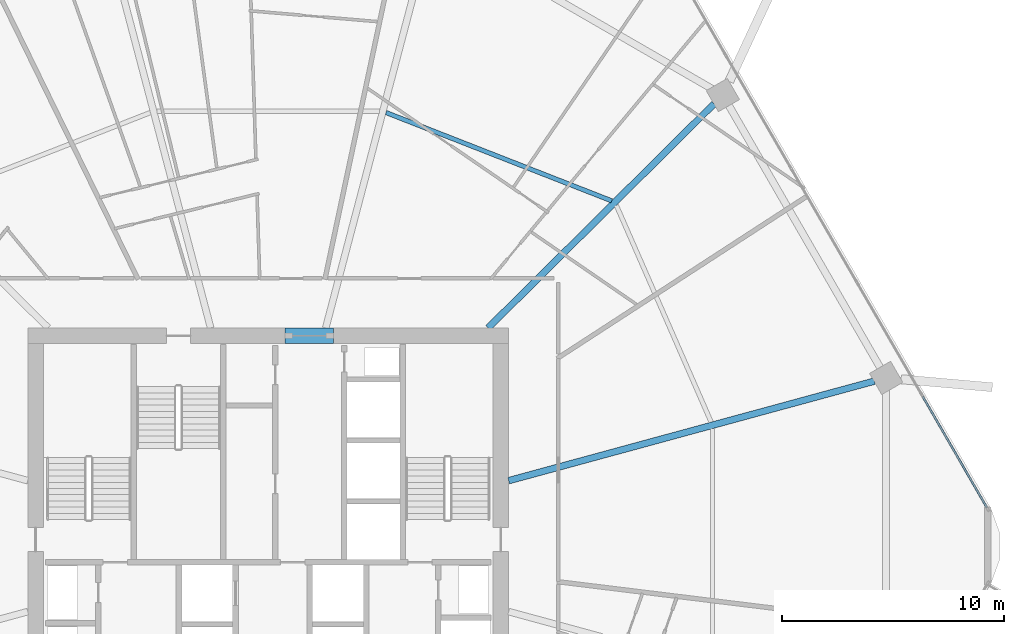
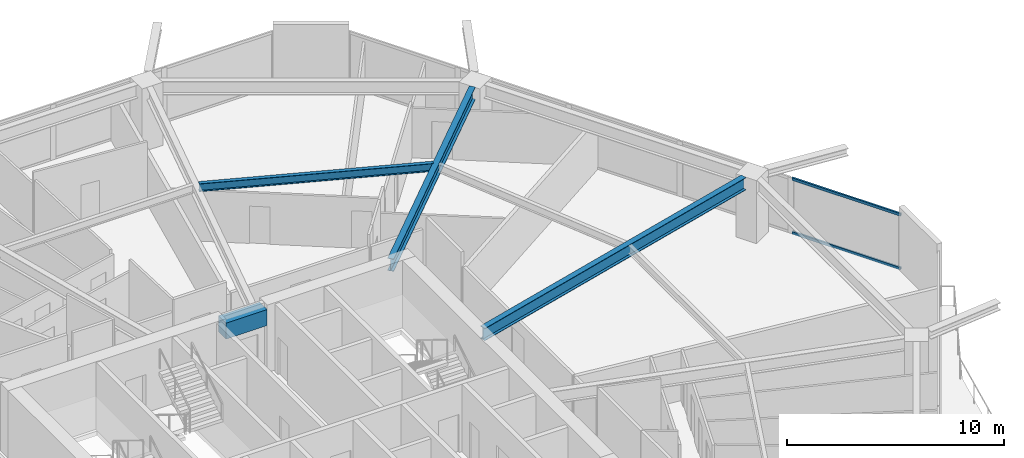
# One storey, part 16 of 32: 4 beams, 2 members, 1 element without a shape of its own.
"""IFC4 building model written with IfcOpenShell, lengths in metres."""

from ifc_helpers import new_model, si_unit, direction, frame, origin, origin_2d, place, context, subcontext, project, spatial, rectangle, hollow_rectangle, i_section, extrude, material, material_profile, profile_set, type_object, element, aggregate, save


model = new_model("IFC4")

# Units and contexts
model_context = context("Model", 3, precision=1e-05, world=origin(), true_north=direction((0.0, 1.0)))
body_context = subcontext(model_context, "Body", "Model", "MODEL_VIEW")
ifc_project = project(units=[si_unit("LENGTHUNIT", "METRE"), si_unit("AREAUNIT", "SQUARE_METRE"), si_unit("VOLUMEUNIT", "CUBIC_METRE"), si_unit("PLANEANGLEUNIT", "RADIAN"), si_unit("MASSUNIT", "GRAM", prefix="KILO")], contexts=[model_context])

# Site, building, storey
site_placement = place(None, origin())
site = spatial("IfcSite", under=ifc_project, at=site_placement, CompositionType="ELEMENT")
building_placement = place(site_placement, origin())
building = spatial("IfcBuilding", under=site, at=building_placement, Name="Zuhravey Tower", CompositionType="ELEMENT")
storey_placement = place(building_placement, frame((0.0, 0.0, 119.0)))
storey = spatial("IfcBuildingStorey", under=building, at=storey_placement, Name="L29", CompositionType="ELEMENT", Elevation=119.0)

# Beam
ifc_material_1 = material(Name="Concrete C60/75", Category="concrete")
ifc_material_profile_1 = material_profile(ifc_material_1, rectangle(XDim=0.699951171875, YDim=0.89990234375, at=origin_2d()), Name="RC-700x900")
ifc_profile_set_1 = profile_set([ifc_material_profile_1], Name="Concrete C60/75")
beam_type_1 = type_object("IfcBeamType", Name="Core Coupling Beam RC700x900", PredefinedType="LINTEL", material=ifc_profile_set_1)
beam_1_placement = place(storey_placement, frame((36.751953125, 41.5, 3.10009765625), z_axis=(1.0, 0.0, 0.0), x_axis=(0.0, 1.0, 0.0)))
element("IfcBeam", 1, at=beam_1_placement, inside=storey, type_object=beam_type_1, Name="L29 CB1 BM-L29-CB-N", PredefinedType="LINTEL", context=body_context, shape_type="SweptSolid", body=[
    extrude(rectangle(XDim=0.699951171875, YDim=0.89990234375, at=origin_2d()), origin(), (0.0, 0.0, 1.0), 2.196044921875),
])

# Curtain wall, members
ifc_material_2 = material(Name="Thermally broken anodised aluminium", Category="aluminium")
curtain_wall_type = type_object("IfcCurtainWallType", Name="Zone 1-2 Residential Curtain Wall CW3", PredefinedType="NOTDEFINED", material=ifc_material_2)
curtain_wall_placement = place(storey_placement, origin())
curtain_wall = element("IfcCurtainWall", 2, at=curtain_wall_placement, inside=storey, type_object=curtain_wall_type, Name="L29 CW3 CW-L29-F1-1", PredefinedType="NOTDEFINED")
ifc_material_3 = material(Name="Anodised aluminium", Category="aluminium")
ifc_material_profile_2 = material_profile(ifc_material_3, hollow_rectangle(XDim=0.090087890625, YDim=0.14990234375, WallThickness=0.0048828125, at=origin_2d()), Name="ALU-RHS-90x150x5")
ifc_profile_set_2 = profile_set([ifc_material_profile_2], Name="Anodised aluminium")
member_type = type_object("IfcMemberType", Name="Curtain-Wall Transom 90x150", PredefinedType="USERDEFINED", material=ifc_profile_set_2)
member_1_placement = place(storey_placement, frame((65.541015625, 38.750244140625, 0.044921875), z_axis=(0.500024450573, -0.866011286779, 0.0), x_axis=(0.866011286779, 0.500024450573, 0.0)))
member_1 = element("IfcMember", 3, at=member_1_placement, type_object=member_type, Name="CW3 transom 5.1", ObjectType="TRANSOM", PredefinedType="USERDEFINED", context=body_context, shape_type="SweptSolid", body=[
    extrude(hollow_rectangle(XDim=0.090087890625, YDim=0.14990234375, WallThickness=0.0048828125, at=origin_2d()), origin(), (0.0, 0.0, 1.0), 5.784912109375),
])
member_2_placement = place(storey_placement, frame((65.541015625, 38.750244140625, 3.076904296875), z_axis=(0.500024450573, -0.866011286779, 0.0), x_axis=(0.866011286779, 0.500024450573, 0.0)))
member_2 = element("IfcMember", 4, at=member_2_placement, type_object=member_type, Name="CW3 transom 5.2", ObjectType="TRANSOM", PredefinedType="USERDEFINED", context=body_context, shape_type="SweptSolid", body=[
    extrude(hollow_rectangle(XDim=0.090087890625, YDim=0.14990234375, WallThickness=0.0048828125, at=origin_2d()), origin(), (0.0, 0.0, 1.0), 5.784912109375),
])
aggregate(curtain_wall, [member_1, member_2])

# Beams
ifc_material_4 = material(Name="Steel SM355", Category="steel")
ifc_material_profile_3 = material_profile(ifc_material_4, i_section(OverallWidth=0.300048828125, OverallDepth=0.699951171875, WebThickness=0.012939453125, FlangeThickness=0.02392578125, at=origin_2d()), Name="H-700x300x13x24")
ifc_profile_set_3 = profile_set([ifc_material_profile_3], Name="Steel SM355")
beam_type_2 = type_object("IfcBeamType", Name="Radial Primary Girder H700x300", PredefinedType="BEAM", material=ifc_profile_set_3)
beam_2_placement = place(storey_placement, frame((46.85302734375, 34.954345703125, 3.199951171875), z_axis=(0.964893166225, 0.262642680791, 0.0), x_axis=(-0.262642680791, 0.964893166225, 0.0)))
element("IfcBeam", 5, at=beam_2_placement, inside=storey, type_object=beam_type_2, Name="L29 RG1 BM-L29-RAD-01", PredefinedType="BEAM", context=body_context, shape_type="SweptSolid", body=[
    extrude(i_section(OverallWidth=0.300048828125, OverallDepth=0.699951171875, WebThickness=0.012939453125, FlangeThickness=0.02392578125, at=origin_2d()), origin(), (0.0, 0.0, 1.0), 17.102783203125),
])
beam_3_placement = place(storey_placement, frame((45.931396484375, 41.85302734375, 3.199951171875), z_axis=(0.709906230344, 0.704296204816, 0.0), x_axis=(-0.704296204816, 0.709906230344, 0.0)))
element("IfcBeam", 6, at=beam_3_placement, inside=storey, type_object=beam_type_2, Name="L29 RG1 BM-L29-RAD-02", PredefinedType="BEAM", context=body_context, shape_type="SweptSolid", body=[
    extrude(i_section(OverallWidth=0.300048828125, OverallDepth=0.699951171875, WebThickness=0.012939453125, FlangeThickness=0.02392578125, at=origin_2d()), origin(), (0.0, 0.0, 1.0), 14.361083984375),
])
ifc_material_profile_4 = material_profile(ifc_material_4, i_section(OverallWidth=0.199951171875, OverallDepth=0.449951171875, WebThickness=0.009033203125, FlangeThickness=0.013916015625, at=origin_2d()), Name="H-450x200x9x14")
ifc_profile_set_4 = profile_set([ifc_material_profile_4], Name="Steel SM355")
beam_type_3 = type_object("IfcBeamType", Name="Secondary Floor Joist H450x200", PredefinedType="JOIST", material=ifc_profile_set_4)
beam_4_placement = place(storey_placement, frame((51.50537109375, 47.581298828125, 3.324951171875), z_axis=(-0.931216764731, 0.364465824302, 0.0), x_axis=(-0.364465824302, -0.931216764731, 0.0)))
element("IfcBeam", 7, at=beam_4_placement, inside=storey, type_object=beam_type_3, Name="L29 SJ1 BM-L29-SJ-02-1", PredefinedType="JOIST", context=body_context, shape_type="SweptSolid", body=[
    extrude(i_section(OverallWidth=0.199951171875, OverallDepth=0.449951171875, WebThickness=0.009033203125, FlangeThickness=0.013916015625, at=origin_2d()), origin(), (0.0, 0.0, 1.0), 10.939453125),
])

save(model, "model.ifc")
